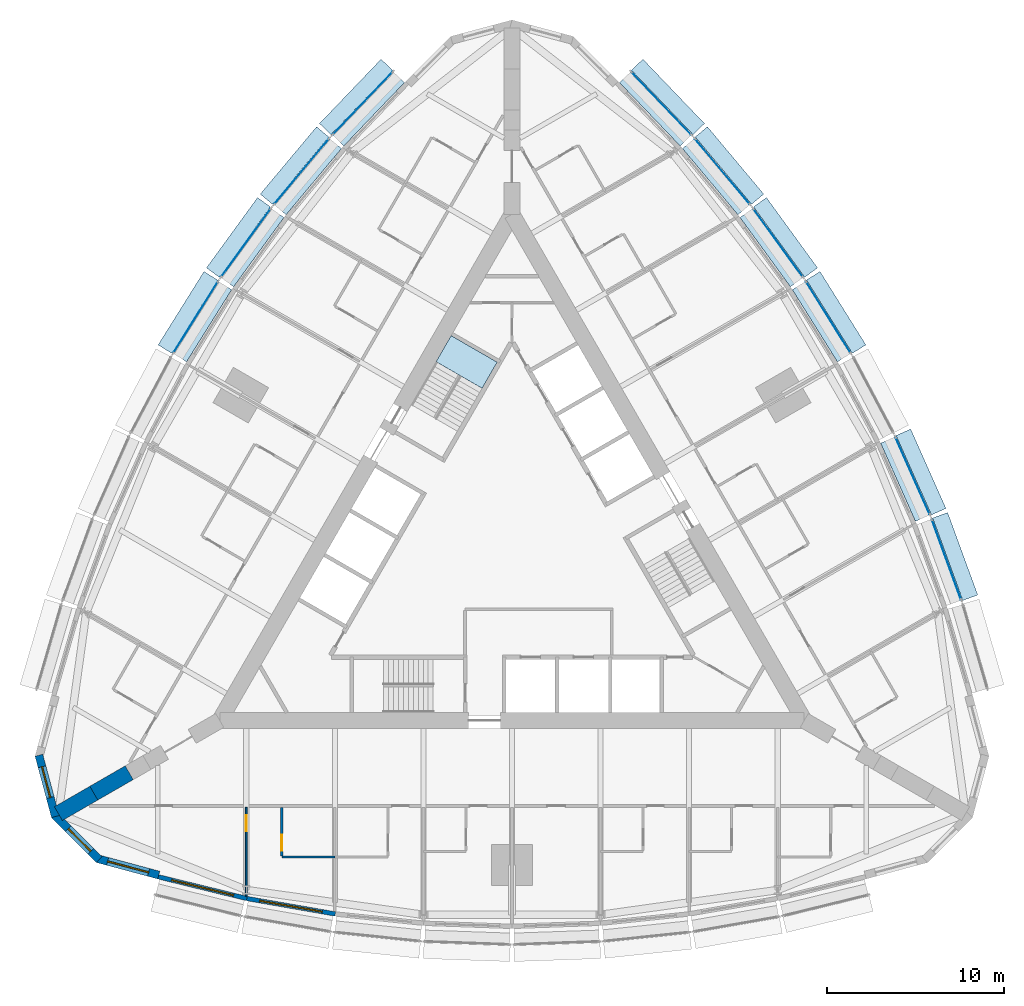
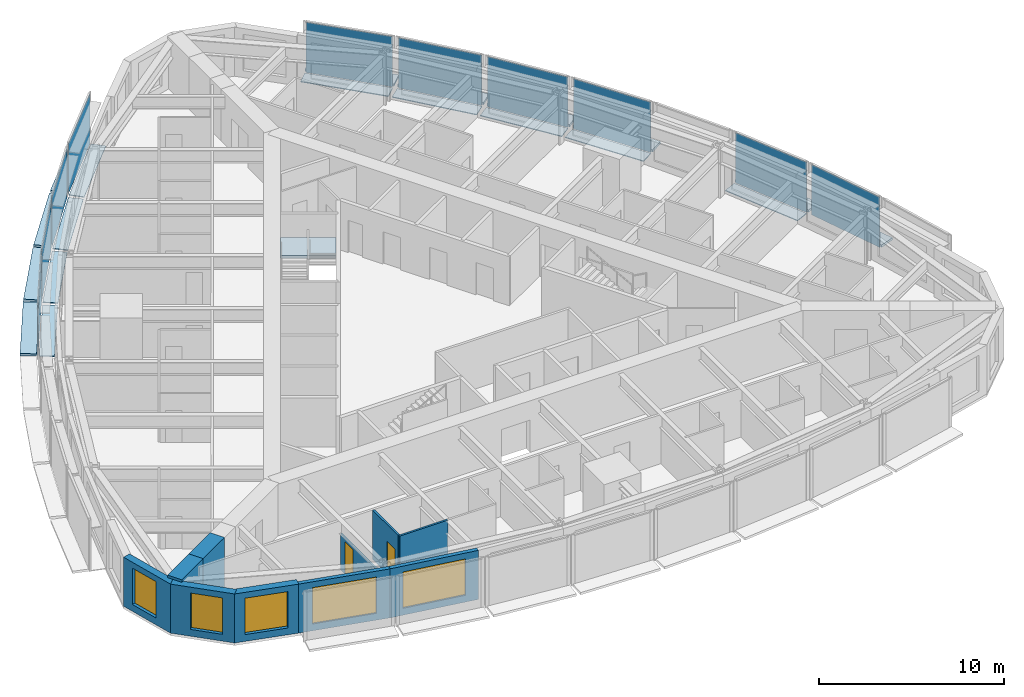
# One storey, part 7 of 14: 29 plates, 10 walls, 5 windows, 2 doors, 1 slab, 7 openings, 11 elements without a shape of their own.
"""IFC4 building model written with IfcOpenShell, lengths in metres."""

from ifc_helpers import new_model, si_unit, direction, frame, frame_2d, origin, origin_2d, place, context, subcontext, project, spatial, polyline, rectangle, outline, extrude, material, layer, layer_set, type_object, element, fill, aggregate, save


model = new_model("IFC4")

# Units and contexts
model_context = context("Model", 3, precision=1e-05, world=origin(), true_north=direction((0.0, 1.0)))
body_context = subcontext(model_context, "Body", "Model", "MODEL_VIEW")
ifc_project = project(units=[si_unit("LENGTHUNIT", "METRE"), si_unit("AREAUNIT", "SQUARE_METRE"), si_unit("VOLUMEUNIT", "CUBIC_METRE"), si_unit("PLANEANGLEUNIT", "RADIAN"), si_unit("MASSUNIT", "GRAM", prefix="KILO")], contexts=[model_context])

# Site, building, storey
site_placement = place(None, origin())
site = spatial("IfcSite", under=ifc_project, at=site_placement, CompositionType="ELEMENT")
building_placement = place(site_placement, origin())
building = spatial("IfcBuilding", under=site, at=building_placement, Name="Trikona Tower", CompositionType="ELEMENT")
storey_placement = place(building_placement, frame((0.0, 0.0, 145.300048828125)))
storey = spatial("IfcBuildingStorey", under=building, at=storey_placement, Name="L38", CompositionType="ELEMENT", Elevation=145.300048828125)

# Plates
ifc_material_1 = material(Name="Aluminium bar grating", Category="aluminium")
ifc_layer_1 = layer(ifc_material_1, 0.050048828125)
ifc_layer_set_1 = layer_set([ifc_layer_1], Name="Cavity catwalk grating")
plate_type_1 = type_object("IfcPlateType", Name="Cavity catwalk grating", PredefinedType="USERDEFINED", material=ifc_layer_set_1)
plate_1_placement = place(storey_placement, frame((22.175048828125, 4.092529296875, -0.05029296875), z_axis=(0.0, 0.0, 1.0), x_axis=(-0.406843467615, 0.913497888809, 0.0)))
element("IfcPlate", 1, at=plate_1_placement, inside=storey, type_object=plate_type_1, Name="Cavity catwalk L38-14", ObjectType="CATWALK GRATING", PredefinedType="USERDEFINED", context=body_context, shape_type="SweptSolid", body=[
    extrude(rectangle(XDim=4.827392578125, YDim=0.830078125, at=origin_2d()), origin(), (0.0, 0.0, 1.0), 0.050048828125),
])
plate_2_placement = place(storey_placement, frame((17.450927734375, 12.978759765625, -0.05029296875), z_axis=(0.0, 0.0, 1.0), x_axis=(-0.529994748414, 0.848000923734, 0.0)))
element("IfcPlate", 2, at=plate_2_placement, inside=storey, type_object=plate_type_1, Name="Cavity catwalk L38-16", ObjectType="CATWALK GRATING", PredefinedType="USERDEFINED", context=body_context, shape_type="SweptSolid", body=[
    extrude(rectangle(XDim=4.802978515625, YDim=0.830078125, at=origin_2d()), origin(), (0.0, 0.0, 1.0), 0.050048828125),
])
plate_3_placement = place(storey_placement, frame((14.6318359375, 17.157958984375, -0.05029296875), z_axis=(0.0, 0.0, 1.0), x_axis=(-0.587686407834, 0.809088799853, 0.0)))
element("IfcPlate", 3, at=plate_3_placement, inside=storey, type_object=plate_type_1, Name="Cavity catwalk L38-17", ObjectType="CATWALK GRATING", PredefinedType="USERDEFINED", context=body_context, shape_type="SweptSolid", body=[
    extrude(rectangle(XDim=4.827392578125, YDim=0.830078125, at=origin_2d()), origin(), (0.0, 0.0, 1.0), 0.050048828125),
])
plate_4_placement = place(storey_placement, frame((11.508056640625, 21.160400390625, -0.05029296875), z_axis=(0.0, 0.0, 1.0), x_axis=(-0.641807063101, 0.766866151133, 0.0)))
element("IfcPlate", 4, at=plate_4_placement, inside=storey, type_object=plate_type_1, Name="Cavity catwalk L38-18", ObjectType="CATWALK GRATING", PredefinedType="USERDEFINED", context=body_context, shape_type="SweptSolid", body=[
    extrude(rectangle(XDim=4.8759765625, YDim=0.830078125, at=origin_2d()), origin(), (0.0, 0.0, 1.0), 0.050048828125),
])
for number, where, z_axis, x_axis, name in (
    (5, (8.080078125, 24.986328125, -0.05029296875), (0.0, 0.0, 1.0), (-0.691723573819, 0.722162376078, 0.0), "Cavity catwalk L38-19"),
    (6, (-8.080078125, 24.986328125, -0.05029296875), (0.0, 0.0, 1.0), (-0.691723573819, -0.722162376078, 0.0), "Cavity catwalk L38-24"),
):
    element("IfcPlate", number, at=place(storey_placement, frame(where, z_axis=z_axis, x_axis=x_axis)), inside=storey, type_object=plate_type_1, Name=name, ObjectType="CATWALK GRATING", PredefinedType="USERDEFINED", context=body_context, shape_type="SweptSolid", body=[
        extrude(rectangle(XDim=4.947998046875, YDim=0.830078125, at=origin_2d()), origin(), (0.0, 0.0, 1.0), 0.050048828125),
    ])
plate_5_placement = place(storey_placement, frame((-11.508056640625, 21.160400390625, -0.05029296875), z_axis=(0.0, 0.0, 1.0), x_axis=(-0.641807063101, -0.766866151133, 0.0)))
element("IfcPlate", 7, at=plate_5_placement, inside=storey, type_object=plate_type_1, Name="Cavity catwalk L38-25", ObjectType="CATWALK GRATING", PredefinedType="USERDEFINED", context=body_context, shape_type="SweptSolid", body=[
    extrude(rectangle(XDim=4.8759765625, YDim=0.830078125, at=origin_2d()), origin(), (0.0, 0.0, 1.0), 0.050048828125),
])
plate_6_placement = place(storey_placement, frame((-14.6318359375, 17.157958984375, -0.05029296875), z_axis=(0.0, 0.0, 1.0), x_axis=(-0.587686407834, -0.809088799853, 0.0)))
element("IfcPlate", 8, at=plate_6_placement, inside=storey, type_object=plate_type_1, Name="Cavity catwalk L38-26", ObjectType="CATWALK GRATING", PredefinedType="USERDEFINED", context=body_context, shape_type="SweptSolid", body=[
    extrude(rectangle(XDim=4.827392578125, YDim=0.830078125, at=origin_2d()), origin(), (0.0, 0.0, 1.0), 0.050048828125),
])
plate_7_placement = place(storey_placement, frame((-17.450927734375, 12.978759765625, -0.05029296875), z_axis=(0.0, 0.0, 1.0), x_axis=(-0.529994748414, -0.848000923734, 0.0)))
element("IfcPlate", 9, at=plate_7_placement, inside=storey, type_object=plate_type_1, Name="Cavity catwalk L38-27", ObjectType="CATWALK GRATING", PredefinedType="USERDEFINED", context=body_context, shape_type="SweptSolid", body=[
    extrude(rectangle(XDim=4.802978515625, YDim=0.830078125, at=origin_2d()), origin(), (0.0, 0.0, 1.0), 0.050048828125),
])

# Curtain wall, plate
ifc_material_2 = material(Name="Aluminium curtain wall system", Category="aluminium")
curtain_wall_type = type_object("IfcCurtainWallType", Name="Curtain wall DS2", PredefinedType="NOTDEFINED", material=ifc_material_2)
curtain_wall_1_placement = place(storey_placement, origin())
curtain_wall_1 = element("IfcCurtainWall", 10, at=curtain_wall_1_placement, inside=storey, type_object=curtain_wall_type, Name="Curtain wall DS2 L38", PredefinedType="NOTDEFINED")
ifc_material_3 = material(Name="Laminated clear glass", Category="glass")
ifc_layer_2 = layer(ifc_material_3, 0.028076171875)
ifc_layer_set_2 = layer_set([ifc_layer_2], Name="Glass panel DS2")
plate_type_2 = type_object("IfcPlateType", Name="Glass panel DS2", PredefinedType="CURTAIN_PANEL", material=ifc_layer_set_2)
plate_8_placement = place(storey_placement, frame((24.53515625, -0.447509765625, 0.0), z_axis=(0.0, 0.0, 1.0), x_axis=(-0.343223420143, 0.939253790978, 0.0)))
plate_8 = element("IfcPlate", 11, at=plate_8_placement, type_object=plate_type_2, Name="CW-DS2 panel 1.1", PredefinedType="CURTAIN_PANEL", context=body_context, shape_type="SweptSolid", body=[
    extrude(rectangle(XDim=4.7958984375, YDim=0.028076171875, at=origin_2d()), origin(), (0.0, 0.0, 1.0), 3.320068359375),
])
aggregate(curtain_wall_1, [plate_8])

curtain_wall_2_placement = place(storey_placement, origin())
curtain_wall_2 = element("IfcCurtainWall", 12, at=curtain_wall_2_placement, inside=storey, type_object=curtain_wall_type, Name="Curtain wall DS2 L38", PredefinedType="NOTDEFINED")
plate_9_placement = place(storey_placement, frame((22.6181640625, 4.289794921875, 0.0), z_axis=(0.0, 0.0, 1.0), x_axis=(-0.406836013132, 0.913501208767, 0.0)))
plate_9 = element("IfcPlate", 13, at=plate_9_placement, type_object=plate_type_2, Name="CW-DS2 panel 1.1", PredefinedType="CURTAIN_PANEL", context=body_context, shape_type="SweptSolid", body=[
    extrude(rectangle(XDim=4.747314453125, YDim=0.028076171875, at=origin_2d()), origin(), (0.0, 0.0, 1.0), 3.320068359375),
])
aggregate(curtain_wall_2, [plate_9])

curtain_wall_3_placement = place(storey_placement, origin())
curtain_wall_3 = element("IfcCurtainWall", 14, at=curtain_wall_3_placement, inside=storey, type_object=curtain_wall_type, Name="Curtain wall DS2 L38", PredefinedType="NOTDEFINED")
plate_10_placement = place(storey_placement, frame((17.8623046875, 13.23583984375, 0.0), z_axis=(0.0, 0.0, 1.0), x_axis=(-0.529998940002, 0.847998304006, 0.0)))
plate_10 = element("IfcPlate", 15, at=plate_10_placement, type_object=plate_type_2, Name="CW-DS2 panel 1.1", PredefinedType="CURTAIN_PANEL", context=body_context, shape_type="SweptSolid", body=[
    extrude(rectangle(XDim=4.72314453125, YDim=0.028076171875, at=origin_2d()), origin(), (0.0, 0.0, 1.0), 3.320068359375),
])
aggregate(curtain_wall_3, [plate_10])

curtain_wall_4_placement = place(storey_placement, origin())
curtain_wall_4 = element("IfcCurtainWall", 16, at=curtain_wall_4_placement, inside=storey, type_object=curtain_wall_type, Name="Curtain wall DS2 L38", PredefinedType="NOTDEFINED")
plate_11_placement = place(storey_placement, frame((15.024169921875, 17.443115234375, 0.0), z_axis=(0.0, 0.0, 1.0), x_axis=(-0.587690588313, 0.80908576332, 0.0)))
plate_11 = element("IfcPlate", 17, at=plate_11_placement, type_object=plate_type_2, Name="CW-DS2 panel 1.1", PredefinedType="CURTAIN_PANEL", context=body_context, shape_type="SweptSolid", body=[
    extrude(rectangle(XDim=4.74755859375, YDim=0.028076171875, at=origin_2d()), origin(), (0.0, 0.0, 1.0), 3.320068359375),
])
aggregate(curtain_wall_4, [plate_11])

curtain_wall_5_placement = place(storey_placement, origin())
curtain_wall_5 = element("IfcCurtainWall", 18, at=curtain_wall_5_placement, inside=storey, type_object=curtain_wall_type, Name="Curtain wall DS2 L38", PredefinedType="NOTDEFINED")
plate_12_placement = place(storey_placement, frame((11.8798828125, 21.4716796875, 0.0), z_axis=(0.0, 0.0, 1.0), x_axis=(-0.641806433248, 0.766866678271, 0.0)))
plate_12 = element("IfcPlate", 19, at=plate_12_placement, type_object=plate_type_2, Name="CW-DS2 panel 1.1", PredefinedType="CURTAIN_PANEL", context=body_context, shape_type="SweptSolid", body=[
    extrude(rectangle(XDim=4.7958984375, YDim=0.028076171875, at=origin_2d()), origin(), (0.0, 0.0, 1.0), 3.320068359375),
])
aggregate(curtain_wall_5, [plate_12])

curtain_wall_6_placement = place(storey_placement, origin())
curtain_wall_6 = element("IfcCurtainWall", 20, at=curtain_wall_6_placement, inside=storey, type_object=curtain_wall_type, Name="Curtain wall DS2 L38", PredefinedType="NOTDEFINED")
plate_13_placement = place(storey_placement, frame((8.430419921875, 25.32177734375, 0.0), z_axis=(0.0, 0.0, 1.0), x_axis=(-0.691727797117, 0.722158330767, 0.0)))
plate_13 = element("IfcPlate", 21, at=plate_13_placement, type_object=plate_type_2, Name="CW-DS2 panel 1.1", PredefinedType="CURTAIN_PANEL", context=body_context, shape_type="SweptSolid", body=[
    extrude(rectangle(XDim=4.867919921875, YDim=0.028076171875, at=origin_2d()), origin(), (0.0, 0.0, 1.0), 3.320068359375),
])
aggregate(curtain_wall_6, [plate_13])

curtain_wall_7_placement = place(storey_placement, origin())
curtain_wall_7 = element("IfcCurtainWall", 22, at=curtain_wall_7_placement, inside=storey, type_object=curtain_wall_type, Name="Curtain wall DS2 L38", PredefinedType="NOTDEFINED")
plate_14_placement = place(storey_placement, frame((-8.430419921875, 25.32177734375, 0.0), z_axis=(0.0, 0.0, 1.0), x_axis=(-0.691727797117, -0.722158330767, 0.0)))
plate_14 = element("IfcPlate", 23, at=plate_14_placement, type_object=plate_type_2, Name="CW-DS2 panel 1.1", PredefinedType="CURTAIN_PANEL", context=body_context, shape_type="SweptSolid", body=[
    extrude(rectangle(XDim=4.867919921875, YDim=0.028076171875, at=origin_2d()), origin(), (0.0, 0.0, 1.0), 3.320068359375),
])
aggregate(curtain_wall_7, [plate_14])

curtain_wall_8_placement = place(storey_placement, origin())
curtain_wall_8 = element("IfcCurtainWall", 24, at=curtain_wall_8_placement, inside=storey, type_object=curtain_wall_type, Name="Curtain wall DS2 L38", PredefinedType="NOTDEFINED")
plate_15_placement = place(storey_placement, frame((-11.8798828125, 21.4716796875, 0.0), z_axis=(0.0, 0.0, 1.0), x_axis=(-0.641806433248, -0.766866678271, 0.0)))
plate_15 = element("IfcPlate", 25, at=plate_15_placement, type_object=plate_type_2, Name="CW-DS2 panel 1.1", PredefinedType="CURTAIN_PANEL", context=body_context, shape_type="SweptSolid", body=[
    extrude(rectangle(XDim=4.7958984375, YDim=0.028076171875, at=origin_2d()), origin(), (0.0, 0.0, 1.0), 3.320068359375),
])
aggregate(curtain_wall_8, [plate_15])

curtain_wall_9_placement = place(storey_placement, origin())
curtain_wall_9 = element("IfcCurtainWall", 26, at=curtain_wall_9_placement, inside=storey, type_object=curtain_wall_type, Name="Curtain wall DS2 L38", PredefinedType="NOTDEFINED")
plate_16_placement = place(storey_placement, frame((-15.024169921875, 17.443115234375, 0.0), z_axis=(0.0, 0.0, 1.0), x_axis=(-0.587690588313, -0.80908576332, 0.0)))
plate_16 = element("IfcPlate", 27, at=plate_16_placement, type_object=plate_type_2, Name="CW-DS2 panel 1.1", PredefinedType="CURTAIN_PANEL", context=body_context, shape_type="SweptSolid", body=[
    extrude(rectangle(XDim=4.74755859375, YDim=0.028076171875, at=origin_2d()), origin(), (0.0, 0.0, 1.0), 3.320068359375),
])
aggregate(curtain_wall_9, [plate_16])

curtain_wall_10_placement = place(storey_placement, origin())
curtain_wall_10 = element("IfcCurtainWall", 28, at=curtain_wall_10_placement, inside=storey, type_object=curtain_wall_type, Name="Curtain wall DS2 L38", PredefinedType="NOTDEFINED")
plate_17_placement = place(storey_placement, frame((-17.8623046875, 13.23583984375, 0.0), z_axis=(0.0, 0.0, 1.0), x_axis=(-0.529998940002, -0.847998304006, 0.0)))
plate_17 = element("IfcPlate", 29, at=plate_17_placement, type_object=plate_type_2, Name="CW-DS2 panel 1.1", PredefinedType="CURTAIN_PANEL", context=body_context, shape_type="SweptSolid", body=[
    extrude(rectangle(XDim=4.72314453125, YDim=0.028076171875, at=origin_2d()), origin(), (0.0, 0.0, 1.0), 3.320068359375),
])
aggregate(curtain_wall_10, [plate_17])

# Plates
ifc_material_4 = material(Name="Aluminium plate fin, pale anodised, on stainless steel outriggers", Category="steel")
ifc_layer_3 = layer(ifc_material_4, 0.14990234375)
ifc_layer_set_3 = layer_set([ifc_layer_3], Name="Outer skin fin 900")
plate_type_3 = type_object("IfcPlateType", Name="Outer skin fin 900", PredefinedType="USERDEFINED", material=ifc_layer_set_3)
plate_18_placement = place(storey_placement, frame((25.0234375, -0.26904296875, 0.0), z_axis=(0.0, 0.0, 1.0), x_axis=(-0.343220397324, 0.939254895575, 0.0)))
element("IfcPlate", 30, at=plate_18_placement, inside=storey, type_object=plate_type_3, Name="Outer skin fin L38-13", ObjectType="FIN", PredefinedType="USERDEFINED", context=body_context, shape_type="SweptSolid", body=[
    extrude(rectangle(XDim=4.9560546875, YDim=0.89990234375, at=origin_2d()), origin(), (0.0, 0.0, 1.0), 0.14990234375),
])
plate_19_placement = place(storey_placement, frame((23.09326171875, 4.50146484375, 0.0), z_axis=(0.0, 0.0, 1.0), x_axis=(-0.406843467615, 0.913497888809, 0.0)))
element("IfcPlate", 31, at=plate_19_placement, inside=storey, type_object=plate_type_3, Name="Outer skin fin L38-14", ObjectType="FIN", PredefinedType="USERDEFINED", context=body_context, shape_type="SweptSolid", body=[
    extrude(rectangle(XDim=4.907470703125, YDim=0.89990234375, at=origin_2d()), origin(), (0.0, 0.0, 1.0), 0.14990234375),
])
plate_20_placement = place(storey_placement, frame((18.30322265625, 13.511474609375, 0.0), z_axis=(0.0, 0.0, 1.0), x_axis=(-0.529994748414, 0.848000923734, 0.0)))
element("IfcPlate", 32, at=plate_20_placement, inside=storey, type_object=plate_type_3, Name="Outer skin fin L38-16", ObjectType="FIN", PredefinedType="USERDEFINED", context=body_context, shape_type="SweptSolid", body=[
    extrude(rectangle(XDim=4.883056640625, YDim=0.89990234375, at=origin_2d()), origin(), (0.0, 0.0, 1.0), 0.14990234375),
])
plate_21_placement = place(storey_placement, frame((15.44482421875, 17.74853515625, 0.0), z_axis=(0.0, 0.0, 1.0), x_axis=(-0.587686407834, 0.809088799853, 0.0)))
element("IfcPlate", 33, at=plate_21_placement, inside=storey, type_object=plate_type_3, Name="Outer skin fin L38-17", ObjectType="FIN", PredefinedType="USERDEFINED", context=body_context, shape_type="SweptSolid", body=[
    extrude(rectangle(XDim=4.907470703125, YDim=0.89990234375, at=origin_2d()), origin(), (0.0, 0.0, 1.0), 0.14990234375),
])
plate_22_placement = place(storey_placement, frame((12.27880859375, 21.8056640625, 0.0), z_axis=(0.0, 0.0, 1.0), x_axis=(-0.641807063101, 0.766866151133, 0.0)))
element("IfcPlate", 34, at=plate_22_placement, inside=storey, type_object=plate_type_3, Name="Outer skin fin L38-18", ObjectType="FIN", PredefinedType="USERDEFINED", context=body_context, shape_type="SweptSolid", body=[
    extrude(rectangle(XDim=4.9560546875, YDim=0.89990234375, at=origin_2d()), origin(), (0.0, 0.0, 1.0), 0.14990234375),
])
for number, where, z_axis, x_axis, name in (
    (35, (8.805908203125, 25.681396484375, 0.0), (0.0, 0.0, 1.0), (-0.691723573819, 0.722162376078, 0.0), "Outer skin fin L38-19"),
    (36, (-8.805908203125, 25.681396484375, 0.0), (0.0, 0.0, 1.0), (-0.691723573819, -0.722162376078, 0.0), "Outer skin fin L38-24"),
):
    element("IfcPlate", number, at=place(storey_placement, frame(where, z_axis=z_axis, x_axis=x_axis)), inside=storey, type_object=plate_type_3, Name=name, ObjectType="FIN", PredefinedType="USERDEFINED", context=body_context, shape_type="SweptSolid", body=[
        extrude(rectangle(XDim=5.02783203125, YDim=0.89990234375, at=origin_2d()), origin(), (0.0, 0.0, 1.0), 0.14990234375),
    ])
plate_23_placement = place(storey_placement, frame((-12.27880859375, 21.8056640625, 0.0), z_axis=(0.0, 0.0, 1.0), x_axis=(-0.641807063101, -0.766866151133, 0.0)))
element("IfcPlate", 37, at=plate_23_placement, inside=storey, type_object=plate_type_3, Name="Outer skin fin L38-25", ObjectType="FIN", PredefinedType="USERDEFINED", context=body_context, shape_type="SweptSolid", body=[
    extrude(rectangle(XDim=4.9560546875, YDim=0.89990234375, at=origin_2d()), origin(), (0.0, 0.0, 1.0), 0.14990234375),
])
plate_24_placement = place(storey_placement, frame((-15.44482421875, 17.74853515625, 0.0), z_axis=(0.0, 0.0, 1.0), x_axis=(-0.587686407834, -0.809088799853, 0.0)))
element("IfcPlate", 38, at=plate_24_placement, inside=storey, type_object=plate_type_3, Name="Outer skin fin L38-26", ObjectType="FIN", PredefinedType="USERDEFINED", context=body_context, shape_type="SweptSolid", body=[
    extrude(rectangle(XDim=4.907470703125, YDim=0.89990234375, at=origin_2d()), origin(), (0.0, 0.0, 1.0), 0.14990234375),
])
plate_25_placement = place(storey_placement, frame((-18.30322265625, 13.511474609375, 0.0), z_axis=(0.0, 0.0, 1.0), x_axis=(-0.529994748414, -0.848000923734, 0.0)))
element("IfcPlate", 39, at=plate_25_placement, inside=storey, type_object=plate_type_3, Name="Outer skin fin L38-27", ObjectType="FIN", PredefinedType="USERDEFINED", context=body_context, shape_type="SweptSolid", body=[
    extrude(rectangle(XDim=4.883056640625, YDim=0.89990234375, at=origin_2d()), origin(), (0.0, 0.0, 1.0), 0.14990234375),
])

# Stair, slab
ifc_material_5 = material(Name="Concrete f'c 5000 psi", Category="concrete")
stair_type = type_object("IfcStairType", Name="Core stair", PredefinedType="HALF_TURN_STAIR", material=ifc_material_5)
stair_placement = place(storey_placement, origin())
stair = element("IfcStair", 40, at=stair_placement, inside=storey, type_object=stair_type, Name="Stair C L38", PredefinedType="HALF_TURN_STAIR")
ifc_material_6 = material(Name="Concrete f'c 5000 psi", Category="concrete")
ifc_layer_4 = layer(ifc_material_6, 0.199951171875)
ifc_layer_set_4 = layer_set([ifc_layer_4], Name="Stair landing 200")
slab_type = type_object("IfcSlabType", Name="Stair landing 200", PredefinedType="LANDING", material=ifc_layer_set_4)
slab_placement = place(storey_placement, frame((0.0, 0.0, 1.5)))
slab = element("IfcSlab", 41, at=slab_placement, type_object=slab_type, Name="ST-C landing 2", PredefinedType="LANDING", context=body_context, shape_type="SweptSolid", body=[
    extrude(outline(polyline([(-0.837158203125, 10.702392578125), (-1.688720703125, 9.2275390625), (-4.286865234375, 10.7275390625), (-3.435302734375, 12.202392578125), (-0.837158203125, 10.702392578125)])), origin(), (0.0, 0.0, 1.0), 0.199951171875),
])
aggregate(stair, [slab])

# Wall
ifc_material_7 = material(Name="Metal stud and cement board", Category="gypsum")
ifc_layer_5 = layer(ifc_material_7, 0.1201171875)
ifc_layer_set_5 = layer_set([ifc_layer_5], Name="Bathroom wall 120")
wall_type_1 = type_object("IfcWallType", Name="Bathroom wall 120", PredefinedType="PLUMBINGWALL", material=ifc_layer_set_5)
wall_1_placement = place(storey_placement, frame((-13.0, -17.226318359375, 0.0), z_axis=(0.0, 0.0, 1.0), x_axis=(1.0, 0.0, 0.0)))
element("IfcWall", 42, at=wall_1_placement, inside=storey, type_object=wall_type_1, Name="Bathroom wall 3801.1", PredefinedType="PLUMBINGWALL", context=body_context, shape_type="SweptSolid", body=[
    extrude(rectangle(XDim=3.0, YDim=0.1201171875, at=frame_2d((1.5, 0.0))), origin(), (0.0, 0.0, 1.0), 3.23486328125),
])

# Wall, opening, door
wall_2_placement = place(storey_placement, frame((-13.0, -14.42626953125, 0.0), z_axis=(0.0, 0.0, 1.0), x_axis=(0.0, -1.0, 0.0)))
wall_2 = element("IfcWall", 43, at=wall_2_placement, inside=storey, type_object=wall_type_1, Name="Bathroom wall 3801.1", PredefinedType="PLUMBINGWALL", context=body_context, shape_type="SweptSolid", body=[
    extrude(rectangle(XDim=2.739990234375, YDim=0.1201171875, at=frame_2d((1.3701171875, 0.0))), origin(), (0.0, 0.0, 1.0), 3.23486328125),
])
opening_1_placement = place(wall_2_placement, frame((1.550048828125, 0.0, 0.0)))
opening_1 = element("IfcOpeningElement", 44, at=opening_1_placement, cuts=wall_2, Name="Opening D2", PredefinedType="OPENING", context=body_context, shape_type="SweptSolid", body=[
    extrude(rectangle(XDim=0.89990234375, YDim=2.1298828125, at=frame_2d((0.449951171875, 1.06494140625))), frame((0.0, 0.070068359375, 0.0), z_axis=(0.0, -1.0, 0.0), x_axis=(1.0, 0.0, 0.0)), (0.0, 0.0, 1.0), 0.14013671875),
])
ifc_material_8 = material(Name="Steel door frame with solid-core timber leaf", Category="steel")
door_type_1 = type_object("IfcDoorType", Name="Bathroom door 900x2130", OperationType="SLIDING_TO_LEFT", PredefinedType="DOOR", material=ifc_material_8)
door_1_placement = place(opening_1_placement, origin())
door_1 = element("IfcDoor", 45, at=door_1_placement, inside=storey, type_object=door_type_1, Name="Bathroom door 3801.1", OperationType="SLIDING_TO_LEFT", OverallHeight=2.1298828125, OverallWidth=0.89990234375, PredefinedType="DOOR", context=body_context, shape_type="SweptSolid", body=[
    extrude(rectangle(XDim=0.89990234375, YDim=2.1298828125, at=frame_2d((0.449951171875, 1.06494140625))), frame((0.0, 0.02490234375, 0.0), z_axis=(0.0, -1.0, 0.0), x_axis=(1.0, 0.0, 0.0)), (0.0, 0.0, 1.0), 0.050048828125),
])
fill(opening_1, door_1)

# Wall, opening, window
ifc_material_9 = material(Name="Brick-faced precast concrete", Category="masonry")
ifc_layer_6 = layer(ifc_material_9, 0.449951171875)
ifc_layer_set_6 = layer_set([ifc_layer_6], Name="Brick-faced corner wall 450")
wall_type_2 = type_object("IfcWallType", Name="Brick-faced corner wall 450", PredefinedType="SOLIDWALL", material=ifc_layer_set_6)
wall_3_placement = place(storey_placement, frame((-26.7109375, -11.48876953125, 0.0), z_axis=(0.0, 0.0, 1.0), x_axis=(0.258823421857, -0.965924653531, 0.0)))
wall_3 = element("IfcWall", 46, at=wall_3_placement, inside=storey, type_object=wall_type_2, Name="External wall L38-33", PredefinedType="SOLIDWALL", context=body_context, shape_type="SweptSolid", body=[
    extrude(outline(polyline([(3.58642578125, 0.22509765625), (3.52685546875, 0.22509765625), (3.03515625, 0.09326171875), (3.0, 0.22509765625), (0.0, 0.22509765625), (0.0, -0.22509765625), (3.58642578125, -0.22509765625), (3.58642578125, 0.22509765625)])), origin(), (0.0, 0.0, 1.0), 3.23486328125),
])
opening_2_placement = place(wall_3_placement, frame((0.6748046875, 0.0, 0.449951171875)))
opening_2 = element("IfcOpeningElement", 47, at=opening_2_placement, cuts=wall_3, Name="Opening W1824", PredefinedType="OPENING", context=body_context, shape_type="SweptSolid", body=[
    extrude(rectangle(XDim=1.800048828125, YDim=2.39990234375, at=frame_2d((0.89990234375, 1.199951171875))), frame((0.0, 0.23486328125, 0.0), z_axis=(0.0, -1.0, 0.0), x_axis=(1.0, 0.0, 0.0)), (0.0, 0.0, 1.0), 0.469970703125),
])
ifc_material_10 = material(Name="Aluminium-framed double glazing", Category="aluminium")
window_type_1 = type_object("IfcWindowType", Name="Window 1800x2400", PartitioningType="SINGLE_PANEL", PredefinedType="WINDOW", material=ifc_material_10)
window_1_placement = place(opening_2_placement, origin())
window_1 = element("IfcWindow", 48, at=window_1_placement, inside=storey, type_object=window_type_1, Name="Window 3817", OverallHeight=2.39990234375, OverallWidth=1.800048828125, PartitioningType="SINGLE_PANEL", PredefinedType="WINDOW", context=body_context, shape_type="SweptSolid", body=[
    extrude(rectangle(XDim=1.800048828125, YDim=2.39990234375, at=frame_2d((0.89990234375, 1.199951171875))), frame((0.0, 0.030029296875, 0.0), z_axis=(0.0, -1.0, 0.0), x_axis=(1.0, 0.0, 0.0)), (0.0, 0.0, 1.0), 0.06005859375),
])
fill(opening_2, window_1)

wall_4_placement = place(storey_placement, frame((-25.8408203125, -14.85205078125, 0.0), z_axis=(0.0, 0.0, 1.0), x_axis=(0.707106781187, -0.707106781187, 0.0)))
wall_4 = element("IfcWall", 49, at=wall_4_placement, inside=storey, type_object=wall_type_2, Name="External wall L38-34", PredefinedType="SOLIDWALL", context=body_context, shape_type="SweptSolid", body=[
    extrude(outline(polyline([(3.586181640625, 0.22509765625), (0.58642578125, 0.22509765625), (0.551025390625, 0.09326171875), (0.05908203125, 0.22509765625), (0.0, 0.22509765625), (0.0, -0.22509765625), (3.586181640625, -0.22509765625), (3.586181640625, 0.22509765625)])), origin(), (0.0, 0.0, 1.0), 3.23486328125),
])
opening_3_placement = place(wall_4_placement, frame((1.111328125, 0.0, 0.449951171875)))
opening_3 = element("IfcOpeningElement", 50, at=opening_3_placement, cuts=wall_4, Name="Opening W1824", PredefinedType="OPENING", context=body_context, shape_type="SweptSolid", body=[
    extrude(rectangle(XDim=1.800048828125, YDim=2.39990234375, at=frame_2d((0.89990234375, 1.199951171875))), frame((0.0, 0.23486328125, 0.0), z_axis=(0.0, -1.0, 0.0), x_axis=(1.0, 0.0, 0.0)), (0.0, 0.0, 1.0), 0.469970703125),
])
window_2_placement = place(opening_3_placement, origin())
window_2 = element("IfcWindow", 51, at=window_2_placement, inside=storey, type_object=window_type_1, Name="Window 3801", OverallHeight=2.39990234375, OverallWidth=1.800048828125, PartitioningType="SINGLE_PANEL", PredefinedType="WINDOW", context=body_context, shape_type="SweptSolid", body=[
    extrude(rectangle(XDim=1.800048828125, YDim=2.39990234375, at=frame_2d((0.89990234375, 1.199951171875))), frame((0.0, 0.030029296875, 0.0), z_axis=(0.0, -1.0, 0.0), x_axis=(1.0, 0.0, 0.0)), (0.0, 0.0, 1.0), 0.06005859375),
])
fill(opening_3, window_2)

wall_5_placement = place(storey_placement, frame((-23.406005859375, -17.32958984375, 0.0), z_axis=(0.0, 0.0, 1.0), x_axis=(0.965924653531, -0.258823421857, 0.0)))
wall_5 = element("IfcWall", 52, at=wall_5_placement, inside=storey, type_object=wall_type_2, Name="External wall L38-35", PredefinedType="SOLIDWALL", context=body_context, shape_type="SweptSolid", body=[
    extrude(rectangle(XDim=3.58642578125, YDim=0.449951171875, at=frame_2d((1.793212890625, 0.0))), origin(), (0.0, 0.0, 1.0), 3.23486328125),
])
opening_4_placement = place(wall_5_placement, frame((0.593017578125, 0.0, 0.449951171875)))
opening_4 = element("IfcOpeningElement", 53, at=opening_4_placement, cuts=wall_5, Name="Opening W2424", PredefinedType="OPENING", context=body_context, shape_type="SweptSolid", body=[
    extrude(rectangle(XDim=2.39990234375, YDim=2.39990234375, at=frame_2d((1.199951171875, 1.199951171875))), frame((0.0, 0.23486328125, 0.0), z_axis=(0.0, -1.0, 0.0), x_axis=(1.0, 0.0, 0.0)), (0.0, 0.0, 1.0), 0.469970703125),
])
ifc_material_11 = material(Name="Aluminium-framed double glazing", Category="aluminium")
window_type_2 = type_object("IfcWindowType", Name="Window 2400x2400", PartitioningType="SINGLE_PANEL", PredefinedType="WINDOW", material=ifc_material_11)
window_3_placement = place(opening_4_placement, origin())
window_3 = element("IfcWindow", 54, at=window_3_placement, inside=storey, type_object=window_type_2, Name="Window 3801", OverallHeight=2.39990234375, OverallWidth=2.39990234375, PartitioningType="SINGLE_PANEL", PredefinedType="WINDOW", context=body_context, shape_type="SweptSolid", body=[
    extrude(rectangle(XDim=2.39990234375, YDim=2.39990234375, at=frame_2d((1.199951171875, 1.199951171875))), frame((0.0, 0.030029296875, 0.0), z_axis=(0.0, -1.0, 0.0), x_axis=(1.0, 0.0, 0.0)), (0.0, 0.0, 1.0), 0.06005859375),
])
fill(opening_4, window_3)

# Walls
ifc_material_12 = material(Name="Concrete f'c 10000 psi", Category="concrete")
ifc_layer_7 = layer(ifc_material_12, 0.89990234375)
ifc_layer_set_7 = layer_set([ifc_layer_7], Name="Buttress wall 900")
wall_type_3 = type_object("IfcWallType", Name="Buttress wall 900", PredefinedType="SHEAR", material=ifc_layer_set_7)
for number, where, z_axis, x_axis, name in (
    (55, (-21.6103515625, -12.476806640625, 0.0), (0.0, 0.0, 1.0), (-0.866055313784, -0.499948190782, 0.0), "Buttress wall 3 part 3"),
    (56, (-23.6103515625, -13.63134765625, 0.0), (0.0, 0.0, 1.0), (-0.866009537788, -0.500027479704, 0.0), "Buttress wall 3 part 4"),
):
    element("IfcWall", number, at=place(storey_placement, frame(where, z_axis=z_axis, x_axis=x_axis)), inside=storey, type_object=wall_type_3, Name=name, PredefinedType="SHEAR", context=body_context, shape_type="SweptSolid", body=[
        extrude(rectangle(XDim=2.309326171875, YDim=0.89990234375, at=frame_2d((1.15478515625, 0.0))), origin(), (0.0, 0.0, 1.0), 3.39990234375),
    ])

# Wall, opening, window
ifc_material_13 = material(Name="Insulated precast concrete spandrel panel", Category="concrete")
ifc_layer_8 = layer(ifc_material_13, 0.25)
ifc_layer_set_8 = layer_set([ifc_layer_8], Name="Inner skin wall 250")
wall_type_4 = type_object("IfcWallType", Name="Inner skin wall 250", PredefinedType="STANDARD", material=ifc_layer_set_8)
wall_6_placement = place(storey_placement, frame((-19.97021484375, -18.353759765625, 0.0), z_axis=(0.0, 0.0, 1.0), x_axis=(0.971270024053, -0.237980126011, 0.0)))
wall_6 = element("IfcWall", 57, at=wall_6_placement, inside=storey, type_object=wall_type_4, Name="External wall L38-00", PredefinedType="STANDARD", context=body_context, shape_type="SweptSolid", body=[
    extrude(rectangle(XDim=5.14794921875, YDim=0.25, at=frame_2d((2.573974609375, 0.0))), origin(), (0.0, 0.0, 1.0), 3.23486328125),
])
opening_5_placement = place(wall_6_placement, frame((0.77392578125, 0.0, 0.449951171875)))
opening_5 = element("IfcOpeningElement", 58, at=opening_5_placement, cuts=wall_6, Name="Opening W3624", PredefinedType="OPENING", context=body_context, shape_type="SweptSolid", body=[
    extrude(rectangle(XDim=3.60009765625, YDim=2.39990234375, at=frame_2d((1.800048828125, 1.199951171875))), frame((0.0, 0.135009765625, 0.0), z_axis=(0.0, -1.0, 0.0), x_axis=(1.0, 0.0, 0.0)), (0.0, 0.0, 1.0), 0.27001953125),
])
ifc_material_14 = material(Name="Aluminium-framed double glazing", Category="aluminium")
window_type_3 = type_object("IfcWindowType", Name="Window 3600x2400", PartitioningType="SINGLE_PANEL", PredefinedType="WINDOW", material=ifc_material_14)
window_4_placement = place(opening_5_placement, origin())
window_4 = element("IfcWindow", 59, at=window_4_placement, inside=storey, type_object=window_type_3, Name="Window 3801", OverallHeight=2.39990234375, OverallWidth=3.60009765625, PartitioningType="SINGLE_PANEL", PredefinedType="WINDOW", context=body_context, shape_type="SweptSolid", body=[
    extrude(rectangle(XDim=3.60009765625, YDim=2.39990234375, at=frame_2d((1.800048828125, 1.199951171875))), frame((0.0, 0.030029296875, 0.0), z_axis=(0.0, -1.0, 0.0), x_axis=(1.0, 0.0, 0.0)), (0.0, 0.0, 1.0), 0.06005859375),
])
fill(opening_5, window_4)

wall_7_placement = place(storey_placement, frame((-14.978515625, -19.5771484375, 0.0), z_axis=(0.0, 0.0, 1.0), x_axis=(0.985030467156, -0.172380331752, 0.0)))
wall_7 = element("IfcWall", 60, at=wall_7_placement, inside=storey, type_object=wall_type_4, Name="External wall L38-01", PredefinedType="STANDARD", context=body_context, shape_type="SweptSolid", body=[
    extrude(rectangle(XDim=5.075927734375, YDim=0.25, at=frame_2d((2.5380859375, 0.0))), origin(), (0.0, 0.0, 1.0), 3.23486328125),
])
opening_6_placement = place(wall_7_placement, frame((0.738037109375, 0.0, 0.449951171875)))
opening_6 = element("IfcOpeningElement", 61, at=opening_6_placement, cuts=wall_7, Name="Opening W3624", PredefinedType="OPENING", context=body_context, shape_type="SweptSolid", body=[
    extrude(rectangle(XDim=3.60009765625, YDim=2.39990234375, at=frame_2d((1.800048828125, 1.199951171875))), frame((0.0, 0.135009765625, 0.0), z_axis=(0.0, -1.0, 0.0), x_axis=(1.0, 0.0, 0.0)), (0.0, 0.0, 1.0), 0.27001953125),
])
window_5_placement = place(opening_6_placement, origin())
window_5 = element("IfcWindow", 62, at=window_5_placement, inside=storey, type_object=window_type_3, Name="Window 3801.1", OverallHeight=2.39990234375, OverallWidth=3.60009765625, PartitioningType="SINGLE_PANEL", PredefinedType="WINDOW", context=body_context, shape_type="SweptSolid", body=[
    extrude(rectangle(XDim=3.60009765625, YDim=2.39990234375, at=frame_2d((1.800048828125, 1.199951171875))), frame((0.0, 0.030029296875, 0.0), z_axis=(0.0, -1.0, 0.0), x_axis=(1.0, 0.0, 0.0)), (0.0, 0.0, 1.0), 0.06005859375),
])
fill(opening_6, window_5)

# Wall, opening, door
ifc_material_15 = material(Name="Metal stud and gypsum board, acoustic", Category="gypsum")
ifc_layer_9 = layer(ifc_material_15, 0.10009765625)
ifc_layer_set_9 = layer_set([ifc_layer_9], Name="Suite partition 100")
wall_type_5 = type_object("IfcWallType", Name="Suite partition 100", PredefinedType="PARTITIONING", material=ifc_layer_set_9)
wall_8_placement = place(storey_placement, frame((-15.0, -14.42626953125, 0.0), z_axis=(0.0, 0.0, 1.0), x_axis=(0.0, -1.0, 0.0)))
wall_8 = element("IfcWall", 63, at=wall_8_placement, inside=storey, type_object=wall_type_5, Name="Suite partition L38 F1 u-15", PredefinedType="PARTITIONING", context=body_context, shape_type="SweptSolid", body=[
    extrude(rectangle(XDim=5.0166015625, YDim=0.10009765625, at=frame_2d((2.50830078125, 0.0))), origin(), (0.0, 0.0, 1.0), 2.38916015625),
])
opening_7_placement = place(wall_8_placement, frame((0.449951171875, 0.0, 0.0)))
opening_7 = element("IfcOpeningElement", 64, at=opening_7_placement, cuts=wall_8, Name="Opening D13", PredefinedType="OPENING", context=body_context, shape_type="SweptSolid", body=[
    extrude(rectangle(XDim=0.89990234375, YDim=2.1298828125, at=frame_2d((0.449951171875, 1.06494140625))), frame((0.0, 0.06005859375, 0.0), z_axis=(0.0, -1.0, 0.0), x_axis=(1.0, 0.0, 0.0)), (0.0, 0.0, 1.0), 0.1201171875),
])
ifc_material_16 = material(Name="Steel door frame with solid-core timber leaf", Category="steel")
door_type_2 = type_object("IfcDoorType", Name="Suite door 900x2130", OperationType="SINGLE_SWING_LEFT", PredefinedType="DOOR", material=ifc_material_16)
door_2_placement = place(opening_7_placement, origin())
door_2 = element("IfcDoor", 65, at=door_2_placement, inside=storey, type_object=door_type_2, Name="Suite door 3801", OperationType="SINGLE_SWING_LEFT", OverallHeight=2.1298828125, OverallWidth=0.89990234375, PredefinedType="DOOR", context=body_context, shape_type="SweptSolid", body=[
    extrude(rectangle(XDim=0.89990234375, YDim=2.1298828125, at=frame_2d((0.449951171875, 1.06494140625))), frame((0.0, 0.02490234375, 0.0), z_axis=(0.0, -1.0, 0.0), x_axis=(1.0, 0.0, 0.0)), (0.0, 0.0, 1.0), 0.050048828125),
])
fill(opening_7, door_2)

save(model, "model.ifc")
